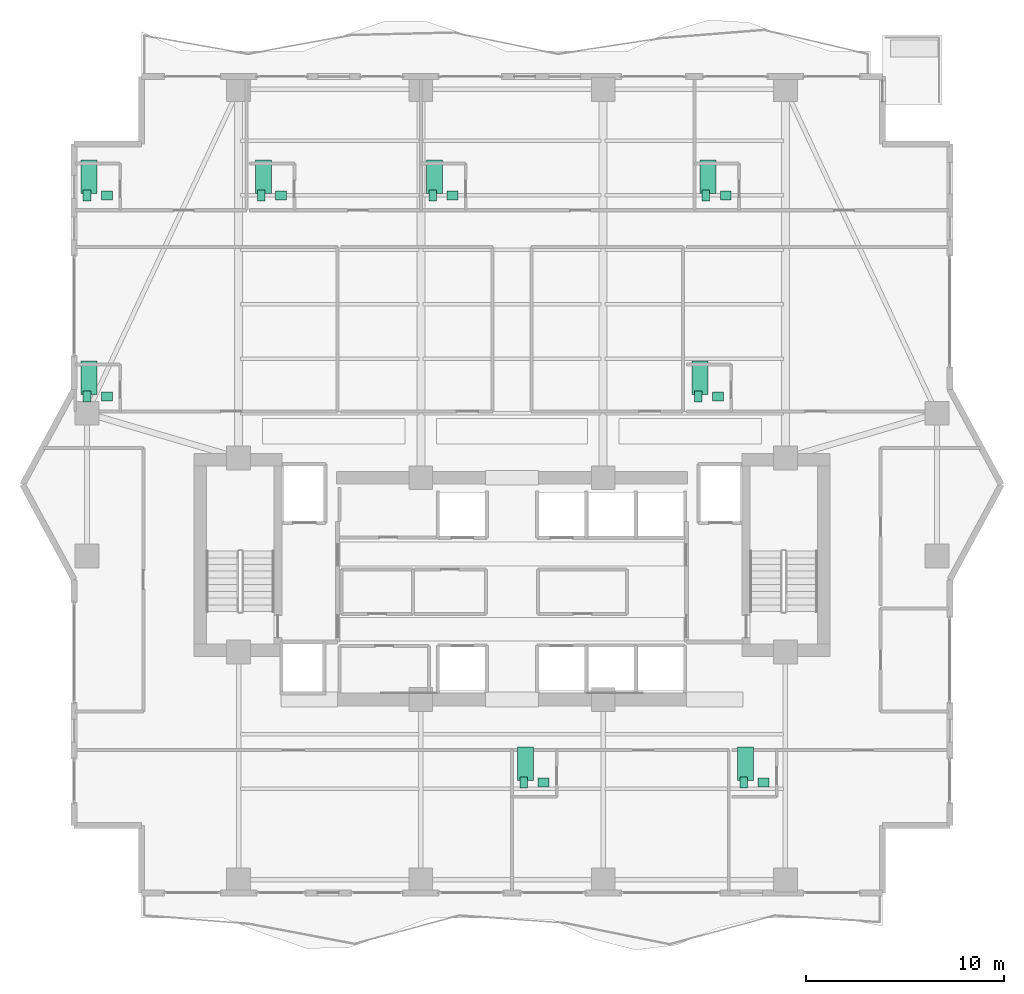
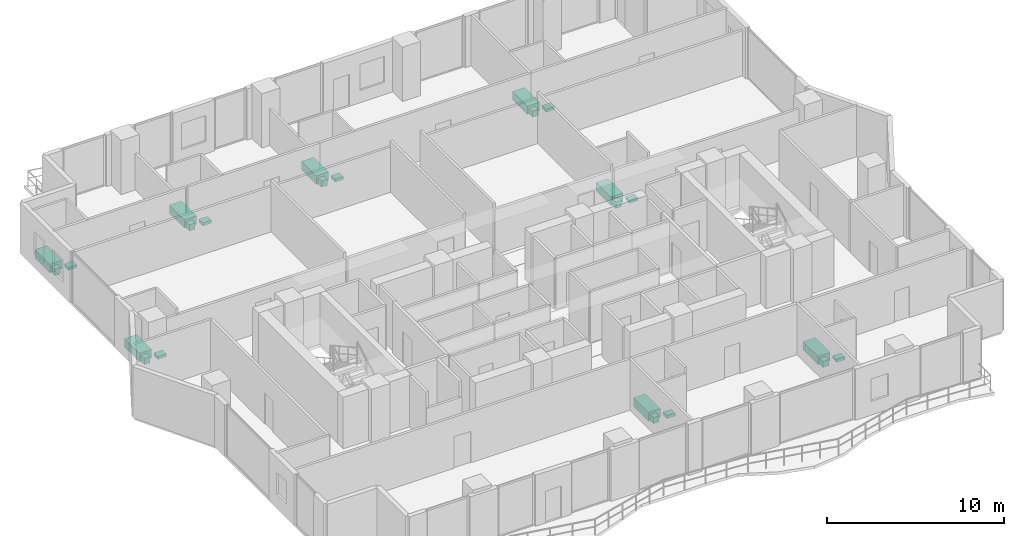
# One storey, part 32 of 32: 24 sanitary terminals.
"""IFC4 building model written with IfcOpenShell, lengths in metres."""

from ifc_helpers import new_model, si_unit, direction, frame, origin, origin_2d, place, context, subcontext, project, spatial, rectangle, extrude, material, type_object, element, save


model = new_model("IFC4")

# Units and contexts
model_context = context("Model", 3, precision=1e-05, world=origin(), true_north=direction((0.0, 1.0)))
body_context = subcontext(model_context, "Body", "Model", "MODEL_VIEW")
ifc_project = project(units=[si_unit("LENGTHUNIT", "METRE"), si_unit("AREAUNIT", "SQUARE_METRE"), si_unit("VOLUMEUNIT", "CUBIC_METRE"), si_unit("PLANEANGLEUNIT", "RADIAN"), si_unit("MASSUNIT", "GRAM", prefix="KILO")], contexts=[model_context])

# Site, building, storey
site_placement = place(None, origin())
site = spatial("IfcSite", under=ifc_project, at=site_placement, CompositionType="ELEMENT")
building_placement = place(site_placement, origin())
building = spatial("IfcBuilding", under=site, at=building_placement, Name="Zuhayl Quay Hotel", CompositionType="ELEMENT")
storey_placement = place(building_placement, frame((0.0, 0.0, 218.64990234375)))
storey = spatial("IfcBuildingStorey", under=building, at=storey_placement, Name="L55", CompositionType="ELEMENT", Elevation=218.64990234375)

# Sanitary terminals
ifc_material = material(Name="Vitreous Porcelain Sanitaryware")
sanitary_terminal_type_1 = type_object("IfcSanitaryTerminalType", Name="SAN_BASIN", PredefinedType="WASHHANDBASIN", material=ifc_material)
for number, where, z_axis, x_axis, name in (
    (1, (-20.449951171875, 27.590087890625, 0.0), (0.0, 0.0, 1.0), (1.0, 0.0, 0.0), "L55 Sanitary Fixture WASHHANDBASIN"),
    (2, (-11.64990234375, 27.590087890625, 0.0), (0.0, 0.0, 1.0), (1.0, 0.0, 0.0), "L55 Sanitary Fixture WASHHANDBASIN"),
    (3, (-3.010009765625, 27.590087890625, 0.0), (0.0, 0.0, 1.0), (1.0, 0.0, 0.0), "L55 Sanitary Fixture WASHHANDBASIN"),
    (4, (10.7900390625, 27.590087890625, 0.0), (0.0, 0.0, 1.0), (1.0, 0.0, 0.0), "L55 Sanitary Fixture WASHHANDBASIN"),
    (5, (-20.449951171875, 17.43994140625, 0.0), (0.0, 0.0, 1.0), (1.0, 0.0, 0.0), "L55 Sanitary Fixture WASHHANDBASIN"),
    (6, (10.389892578125, 17.43994140625, 0.0), (0.0, 0.0, 1.0), (1.0, 0.0, 0.0), "L55 Sanitary Fixture WASHHANDBASIN"),
    (7, (1.590087890625, -2.0400390625, 0.0), (0.0, 0.0, 1.0), (1.0, 0.0, 0.0), "L55 Sanitary Fixture WASHHANDBASIN"),
    (8, (12.68994140625, -2.0400390625, 0.0), (0.0, 0.0, 1.0), (1.0, 0.0, 0.0), "L55 Sanitary Fixture WASHHANDBASIN"),
):
    element("IfcSanitaryTerminal", number, at=place(storey_placement, frame(where, z_axis=z_axis, x_axis=x_axis)), inside=storey, type_object=sanitary_terminal_type_1, Name=name, PredefinedType="WASHHANDBASIN", context=body_context, shape_type="SweptSolid", body=[
        extrude(rectangle(XDim=0.550048828125, YDim=0.449951171875, at=origin_2d()), origin(), (0.0, 0.0, 1.0), 0.199951171875),
    ])
sanitary_terminal_type_2 = type_object("IfcSanitaryTerminalType", Name="SAN_BATH", PredefinedType="BATH", material=ifc_material)
for number, where, z_axis, x_axis, name in (
    (9, (-21.35009765625, 28.5400390625, 0.0), (0.0, 0.0, 1.0), (1.0, 0.0, 0.0), "L55 Sanitary Fixture BATH"),
    (10, (-12.550048828125, 28.5400390625, 0.0), (0.0, 0.0, 1.0), (1.0, 0.0, 0.0), "L55 Sanitary Fixture BATH"),
    (11, (-3.909912109375, 28.5400390625, 0.0), (0.0, 0.0, 1.0), (1.0, 0.0, 0.0), "L55 Sanitary Fixture BATH"),
    (12, (9.889892578125, 28.5400390625, 0.0), (0.0, 0.0, 1.0), (1.0, 0.0, 0.0), "L55 Sanitary Fixture BATH"),
    (13, (-21.35009765625, 18.389892578125, 0.0), (0.0, 0.0, 1.0), (1.0, 0.0, 0.0), "L55 Sanitary Fixture BATH"),
    (14, (9.489990234375, 18.389892578125, 0.0), (0.0, 0.0, 1.0), (1.0, 0.0, 0.0), "L55 Sanitary Fixture BATH"),
    (15, (0.68994140625, -1.090087890625, 0.0), (0.0, 0.0, 1.0), (1.0, 0.0, 0.0), "L55 Sanitary Fixture BATH"),
    (16, (11.7900390625, -1.090087890625, 0.0), (0.0, 0.0, 1.0), (1.0, 0.0, 0.0), "L55 Sanitary Fixture BATH"),
):
    element("IfcSanitaryTerminal", number, at=place(storey_placement, frame(where, z_axis=z_axis, x_axis=x_axis)), inside=storey, type_object=sanitary_terminal_type_2, Name=name, PredefinedType="BATH", context=body_context, shape_type="SweptSolid", body=[
        extrude(rectangle(XDim=0.800048828125, YDim=1.699951171875, at=origin_2d()), origin(), (0.0, 0.0, 1.0), 0.580078125),
    ])
sanitary_terminal_type_3 = type_object("IfcSanitaryTerminalType", Name="SAN_WC", PredefinedType="TOILETPAN", material=ifc_material)
for number, where, z_axis, x_axis, name in (
    (17, (-21.449951171875, 27.590087890625, 0.000244140625), (0.0, 0.0, 1.0), (1.0, 0.0, 0.0), "L55 Sanitary Fixture TOILETPAN"),
    (18, (-12.64990234375, 27.590087890625, 0.000244140625), (0.0, 0.0, 1.0), (1.0, 0.0, 0.0), "L55 Sanitary Fixture TOILETPAN"),
    (19, (-4.010009765625, 27.590087890625, 0.000244140625), (0.0, 0.0, 1.0), (1.0, 0.0, 0.0), "L55 Sanitary Fixture TOILETPAN"),
    (20, (9.7900390625, 27.590087890625, 0.000244140625), (0.0, 0.0, 1.0), (1.0, 0.0, 0.0), "L55 Sanitary Fixture TOILETPAN"),
    (21, (-21.449951171875, 17.43994140625, 0.000244140625), (0.0, 0.0, 1.0), (1.0, 0.0, 0.0), "L55 Sanitary Fixture TOILETPAN"),
    (22, (9.389892578125, 17.43994140625, 0.000244140625), (0.0, 0.0, 1.0), (1.0, 0.0, 0.0), "L55 Sanitary Fixture TOILETPAN"),
    (23, (0.590087890625, -2.0400390625, 0.000244140625), (0.0, 0.0, 1.0), (1.0, 0.0, 0.0), "L55 Sanitary Fixture TOILETPAN"),
    (24, (11.68994140625, -2.0400390625, 0.000244140625), (0.0, 0.0, 1.0), (1.0, 0.0, 0.0), "L55 Sanitary Fixture TOILETPAN"),
):
    element("IfcSanitaryTerminal", number, at=place(storey_placement, frame(where, z_axis=z_axis, x_axis=x_axis)), inside=storey, type_object=sanitary_terminal_type_3, Name=name, PredefinedType="TOILETPAN", context=body_context, shape_type="SweptSolid", body=[
        extrude(rectangle(XDim=0.3798828125, YDim=0.56005859375, at=origin_2d()), origin(), (0.0, 0.0, 1.0), 0.419921875),
    ])

save(model, "model.ifc")
